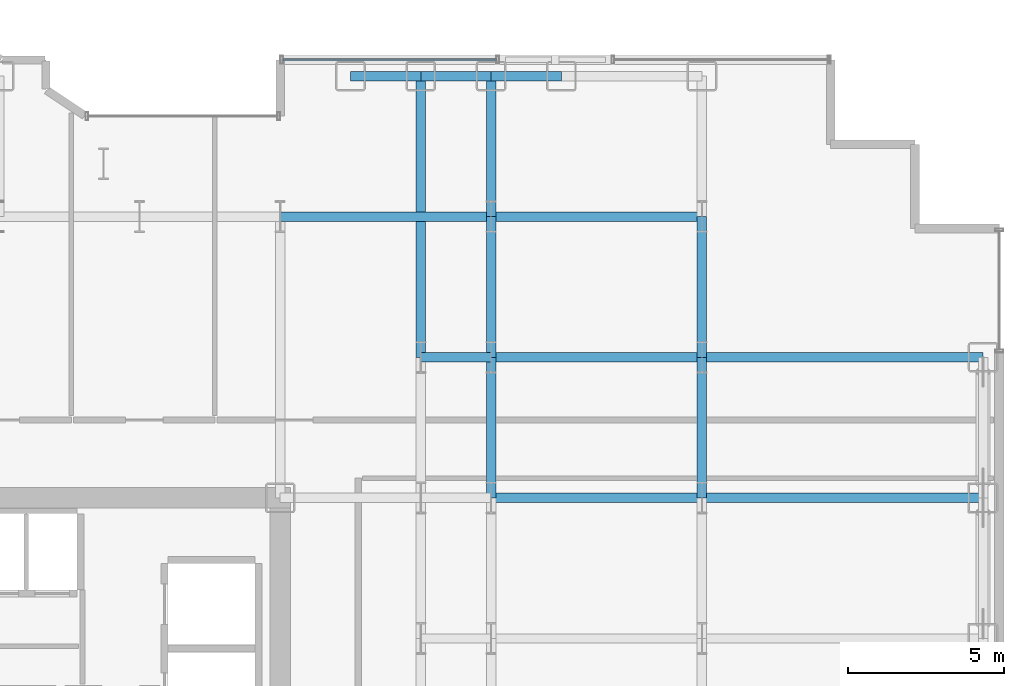
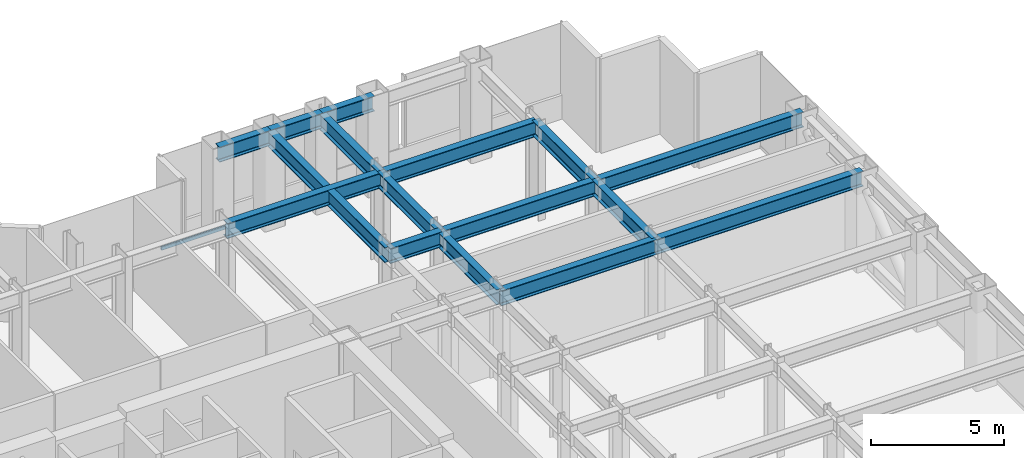
# One storey, part 16 of 30: 16 beams, 1 member, 1 element without a shape of its own.
"""IFC4 building model written with IfcOpenShell, lengths in metres."""

from ifc_helpers import new_model, si_unit, direction, frame, origin, origin_2d, place, context, subcontext, project, spatial, hollow_rectangle, i_section, extrude, source, transform, mapped, material, layer, layer_set, material_profile, profile_set, type_object, element, aggregate, save


model = new_model("IFC4")

# Units and contexts
model_context = context("Model", 3, precision=1e-05, world=origin(), true_north=direction((0.0, 1.0)))
body_context = subcontext(model_context, "Body", "Model", "MODEL_VIEW")
ifc_project = project(units=[si_unit("LENGTHUNIT", "METRE"), si_unit("AREAUNIT", "SQUARE_METRE"), si_unit("VOLUMEUNIT", "CUBIC_METRE"), si_unit("PLANEANGLEUNIT", "RADIAN"), si_unit("MASSUNIT", "GRAM", prefix="KILO")], contexts=[model_context])

# Site, building, storey
site_placement = place(None, origin())
site = spatial("IfcSite", under=ifc_project, at=site_placement, CompositionType="ELEMENT")
building_placement = place(site_placement, origin())
building = spatial("IfcBuilding", under=site, at=building_placement, Name="Nefas-Gora Pilgrimage Tower", CompositionType="ELEMENT")
storey_placement = place(building_placement, frame((0.0, 0.0, 86.199951171875)))
storey = spatial("IfcBuildingStorey", under=building, at=storey_placement, Name="L20", CompositionType="ELEMENT", Elevation=86.199951171875)

# Beams
ifc_material_1 = material(Name="Steel S355", Category="steel")
ifc_material_profile_1 = material_profile(ifc_material_1, i_section(OverallWidth=0.300048828125, OverallDepth=0.699951171875, WebThickness=0.01708984375, FlangeThickness=0.031982421875, FilletRadius=0.027099609375, at=origin_2d()), Name="HEB 700")
ifc_profile_set_1 = profile_set([ifc_material_profile_1], Name="Steel S355")
beam_type_1 = type_object("IfcBeamType", Name="BM-GIR-HEB700", PredefinedType="BEAM", material=ifc_profile_set_1)
shared_shape_1 = source(origin(), body_context, "Body", "SweptSolid", [
    extrude(i_section(OverallWidth=0.300048828125, OverallDepth=0.699951171875, WebThickness=0.01708984375, FlangeThickness=0.031982421875, FilletRadius=0.027099609375, at=origin_2d()), origin(), (0.0, 0.0, 1.0), 9.0),
])
for number, where, z_axis, x_axis, name in (
    (1, (15.75, 13.5, 4.0), (0.0, 1.0, 0.0), (-1.0, 0.0, 0.0), "L20 G-02 beam"),
    (2, (24.75, 9.0, 4.0), (1.0, 0.0, 0.0), (0.0, 1.0, 0.0), "L20 G-02 beam"),
    (3, (24.75, 13.5, 4.0), (1.0, 0.0, 0.0), (0.0, 1.0, 0.0), "L20 G-02 beam"),
):
    element("IfcBeam", number, at=place(storey_placement, frame(where, z_axis=z_axis, x_axis=x_axis)), inside=storey, type_object=beam_type_1, Name=name, PredefinedType="BEAM", context=body_context, shape_type="MappedRepresentation", body=[
        mapped(shared_shape_1, transform((0.0, 0.0, 0.0), x_axis=(1.0, 0.0, 0.0), y_axis=(0.0, 1.0, 0.0), z_axis=(0.0, 0.0, 1.0), scale=1.0)),
    ])
shared_shape_2 = source(origin(), body_context, "Body", "SweptSolid", [
    extrude(i_section(OverallWidth=0.300048828125, OverallDepth=0.699951171875, WebThickness=0.01708984375, FlangeThickness=0.031982421875, FilletRadius=0.027099609375, at=origin_2d()), origin(), (0.0, 0.0, 1.0), 4.5),
])
for number, where, z_axis, x_axis, name in (
    (4, (18.0, 9.0, 4.0), (0.0, 1.0, 0.0), (-1.0, 0.0, 0.0), "L20 G-02 beam"),
    (5, (18.0, 13.5, 4.0), (0.0, 1.0, 0.0), (-1.0, 0.0, 0.0), "L20 G-02 beam"),
    (6, (18.0, 18.0, 4.0), (0.0, 1.0, 0.0), (-1.0, 0.0, 0.0), "L20 G-02 beam"),
    (7, (24.75, 9.0, 4.0), (0.0, 1.0, 0.0), (-1.0, 0.0, 0.0), "L20 G-02 beam"),
    (8, (24.75, 13.5, 4.0), (0.0, 1.0, 0.0), (-1.0, 0.0, 0.0), "L20 G-02 beam"),
):
    element("IfcBeam", number, at=place(storey_placement, frame(where, z_axis=z_axis, x_axis=x_axis)), inside=storey, type_object=beam_type_1, Name=name, PredefinedType="BEAM", context=body_context, shape_type="MappedRepresentation", body=[
        mapped(shared_shape_2, transform((0.0, 0.0, 0.0), x_axis=(1.0, 0.0, 0.0), y_axis=(0.0, 1.0, 0.0), z_axis=(0.0, 0.0, 1.0), scale=1.0)),
    ])
shared_shape_3 = source(origin(), body_context, "Body", "SweptSolid", [
    extrude(i_section(OverallWidth=0.300048828125, OverallDepth=0.699951171875, WebThickness=0.01708984375, FlangeThickness=0.031982421875, FilletRadius=0.027099609375, at=origin_2d()), origin(), (0.0, 0.0, 1.0), 6.75),
])
for number, where, z_axis, x_axis, name in (
    (9, (11.25, 18.0, 4.0), (1.0, 0.0, 0.0), (0.0, 1.0, 0.0), "L20 G-02 beam"),
    (10, (18.0, 9.0, 4.0), (1.0, 0.0, 0.0), (0.0, 1.0, 0.0), "L20 G-02 beam"),
    (11, (18.0, 13.5, 4.0), (1.0, 0.0, 0.0), (0.0, 1.0, 0.0), "L20 G-02 beam"),
    (12, (18.0, 18.0, 4.0), (1.0, 0.0, 0.0), (0.0, 1.0, 0.0), "L20 G-02 beam"),
):
    element("IfcBeam", number, at=place(storey_placement, frame(where, z_axis=z_axis, x_axis=x_axis)), inside=storey, type_object=beam_type_1, Name=name, PredefinedType="BEAM", context=body_context, shape_type="MappedRepresentation", body=[
        mapped(shared_shape_3, transform((0.0, 0.0, 0.0), x_axis=(1.0, 0.0, 0.0), y_axis=(0.0, 1.0, 0.0), z_axis=(0.0, 0.0, 1.0), scale=1.0)),
    ])
ifc_material_profile_2 = material_profile(ifc_material_1, i_section(OverallWidth=0.300048828125, OverallDepth=0.699951171875, WebThickness=0.01708984375, FlangeThickness=0.031982421875, FilletRadius=0.027099609375, at=origin_2d()), Name="HEB 700")
ifc_profile_set_2 = profile_set([ifc_material_profile_2], Name="Steel S355")
beam_type_2 = type_object("IfcBeamType", Name="BM-SPN-HEB600", PredefinedType="SPANDREL", material=ifc_profile_set_2)
shared_shape_4 = source(origin(), body_context, "Body", "SweptSolid", [
    extrude(i_section(OverallWidth=0.300048828125, OverallDepth=0.699951171875, WebThickness=0.01708984375, FlangeThickness=0.031982421875, FilletRadius=0.027099609375, at=origin_2d()), origin(), (0.0, 0.0, 1.0), 2.25),
])
for number, where, z_axis, x_axis, name in (
    (13, (13.5, 22.5, 4.0), (1.0, 0.0, 0.0), (0.0, 1.0, 0.0), "L20 SP-01 beam"),
    (14, (15.75, 22.5, 4.0), (1.0, 0.0, 0.0), (0.0, 1.0, 0.0), "L20 SP-01 beam"),
    (15, (18.0, 22.5, 4.0), (1.0, 0.0, 0.0), (0.0, 1.0, 0.0), "L20 SP-01 beam"),
):
    element("IfcBeam", number, at=place(storey_placement, frame(where, z_axis=z_axis, x_axis=x_axis)), inside=storey, type_object=beam_type_2, Name=name, PredefinedType="SPANDREL", context=body_context, shape_type="MappedRepresentation", body=[
        mapped(shared_shape_4, transform((0.0, 0.0, 0.0), x_axis=(1.0, 0.0, 0.0), y_axis=(0.0, 1.0, 0.0), z_axis=(0.0, 0.0, 1.0), scale=1.0)),
    ])
shared_shape_5 = source(origin(), body_context, "Body", "SweptSolid", [
    extrude(i_section(OverallWidth=0.300048828125, OverallDepth=0.699951171875, WebThickness=0.01708984375, FlangeThickness=0.031982421875, FilletRadius=0.027099609375, at=origin_2d()), origin(), (0.0, 0.0, 1.0), 2.25),
])
beam_placement = place(storey_placement, frame((15.75, 13.5, 4.0), z_axis=(1.0, 0.0, 0.0), x_axis=(0.0, 1.0, 0.0)))
element("IfcBeam", 16, at=beam_placement, inside=storey, type_object=beam_type_1, Name="L20 G-02 beam", PredefinedType="BEAM", context=body_context, shape_type="MappedRepresentation", body=[
    mapped(shared_shape_5, transform((0.0, 0.0, 0.0), x_axis=(1.0, 0.0, 0.0), y_axis=(0.0, 1.0, 0.0), z_axis=(0.0, 0.0, 1.0), scale=1.0)),
])

# Curtain wall, member
ifc_material_2 = material(Name="Dark ceramic-fritted solar-control aluminium-glass curtain wall", Category="aluminium")
ifc_layer = layer(ifc_material_2, 0.219970703125)
ifc_layer_set = layer_set([ifc_layer], Name="Dark ceramic-fritted solar-control aluminium-glass curtain wall")
curtain_wall_type = type_object("IfcCurtainWallType", Name="CW-SYS-2", PredefinedType="NOTDEFINED", material=ifc_layer_set)
curtain_wall_placement = place(storey_placement, origin())
curtain_wall = element("IfcCurtainWall", 17, at=curtain_wall_placement, inside=storey, type_object=curtain_wall_type, Name="L20 Unitised Curtain Wall CW2", PredefinedType="NOTDEFINED")
ifc_material_3 = material(Name="Anodised architectural aluminium", Category="aluminium")
ifc_material_profile_3 = material_profile(ifc_material_3, hollow_rectangle(XDim=0.080078125, YDim=0.159912109375, WallThickness=0.00439453125, InnerFilletRadius=0.00439453125, OuterFilletRadius=0.009033203125, at=origin_2d()), Name="ALU TRANSOM 80x160")
ifc_profile_set_3 = profile_set([ifc_material_profile_3], Name="Anodised architectural aluminium")
member_type = type_object("IfcMemberType", Name="CWM-TRN-2", PredefinedType="USERDEFINED", material=ifc_profile_set_3)
shared_shape_6 = source(origin(), body_context, "Body", "SweptSolid", [
    extrude(hollow_rectangle(XDim=0.080078125, YDim=0.159912109375, WallThickness=0.00439453125, InnerFilletRadius=0.00439453125, OuterFilletRadius=0.009033203125, at=origin_2d()), origin(), (0.0, 0.0, 1.0), 6.829833984375),
])
member_placement = place(storey_placement, frame((18.169921875, 23.02001953125, 0.050048828125), z_axis=(-1.0, 0.0, 0.0), x_axis=(0.0, -1.0, 0.0)))
member = element("IfcMember", 18, at=member_placement, type_object=member_type, Name="CW2 Spandrel Transom", ObjectType="TRANSOM", PredefinedType="USERDEFINED", context=body_context, shape_type="MappedRepresentation", body=[
    mapped(shared_shape_6, transform((0.0, 0.0, 0.0), x_axis=(1.0, 0.0, 0.0), y_axis=(0.0, 1.0, 0.0), z_axis=(0.0, 0.0, 1.0), scale=1.0)),
])
aggregate(curtain_wall, [member])

save(model, "model.ifc")
